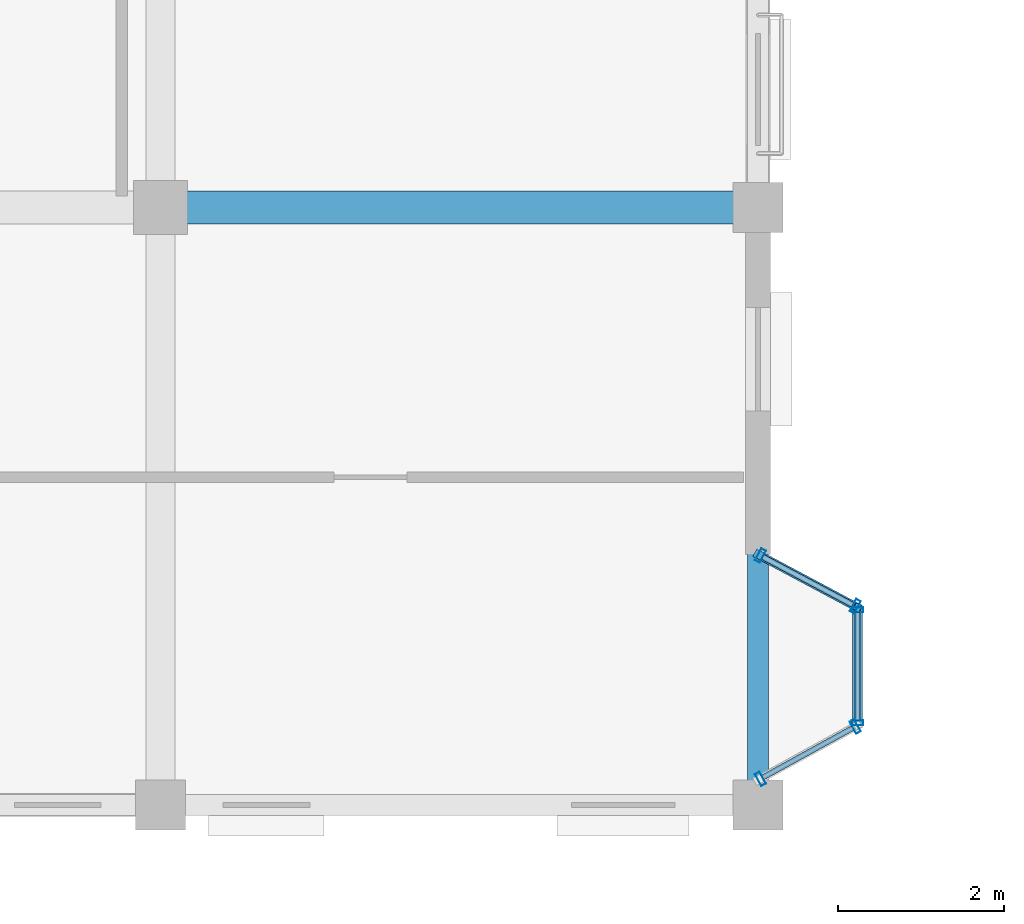
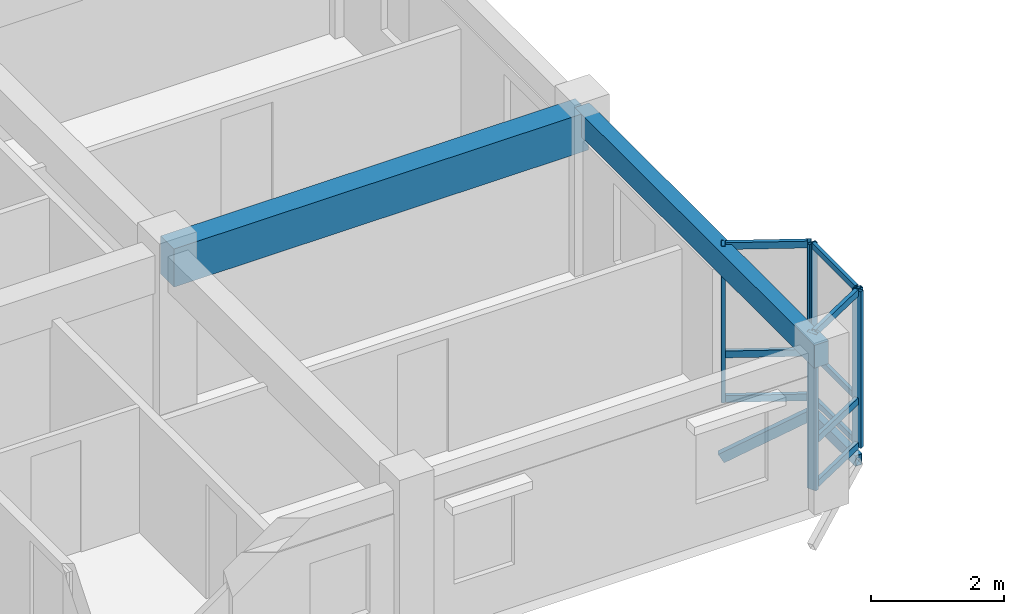
# One storey, part 6 of 124: 17 members, 2 beams, 3 elements without a shape of their own.
"""IFC4 building model written with IfcOpenShell, lengths in metres."""

from ifc_helpers import new_model, si_unit, direction, frame, origin, origin_2d, place, context, subcontext, project, spatial, rectangle, hollow_rectangle, extrude, material, layer, layer_set, material_profile, profile_set, type_object, element, aggregate, save


model = new_model("IFC4")

# Units and contexts
model_context = context("Model", 3, precision=1e-05, world=origin(), true_north=direction((0.0, 1.0)))
body_context = subcontext(model_context, "Body", "Model", "MODEL_VIEW")
ifc_project = project(units=[si_unit("LENGTHUNIT", "METRE"), si_unit("AREAUNIT", "SQUARE_METRE"), si_unit("VOLUMEUNIT", "CUBIC_METRE"), si_unit("PLANEANGLEUNIT", "RADIAN"), si_unit("MASSUNIT", "GRAM", prefix="KILO"), si_unit("THERMODYNAMICTEMPERATUREUNIT", "KELVIN"), si_unit("POWERUNIT", "WATT")], contexts=[model_context])

# Site, building, storey
site_placement = place(None, origin())
site = spatial("IfcSite", under=ifc_project, at=site_placement, CompositionType="ELEMENT")
building_placement = place(site_placement, origin())
building = spatial("IfcBuilding", under=site, at=building_placement, Name="Tavuni Mirador Residences", CompositionType="ELEMENT")
storey_placement = place(building_placement, frame((0.0, 0.0, 7.64990234375)))
storey = spatial("IfcBuildingStorey", under=building, at=storey_placement, Name="L02", CompositionType="ELEMENT", Elevation=7.64990234375)

# Beams
ifc_material_1 = material(Name="Precast concrete C40/50", Category="concrete")
ifc_material_profile_1 = material_profile(ifc_material_1, rectangle(XDim=0.39990234375, YDim=0.699951171875, at=origin_2d()), Name="PC 400x700", Category="concrete")
ifc_profile_set_1 = profile_set([ifc_material_profile_1], Name="Precast concrete C40/50")
beam_type_1 = type_object("IfcBeamType", Name="BT-B700", PredefinedType="BEAM", material=ifc_profile_set_1)
beam_1_placement = place(storey_placement, frame((25.199951171875, 14.39990234375, 2.52001953125), z_axis=(1.0, 0.0, 0.0), x_axis=(0.0, 1.0, 0.0)))
element("IfcBeam", 1, at=beam_1_placement, inside=storey, type_object=beam_type_1, Name="BMX-BLK-A-L02-03-01", PredefinedType="BEAM", context=body_context, shape_type="SweptSolid", body=[
    extrude(rectangle(XDim=0.39990234375, YDim=0.699951171875, at=origin_2d()), origin(), (0.0, 0.0, 1.0), 7.199951171875),
])
ifc_material_profile_2 = material_profile(ifc_material_1, rectangle(XDim=0.25, YDim=0.419921875, at=origin_2d()), Name="PC 250x420", Category="concrete")
ifc_profile_set_2 = profile_set([ifc_material_profile_2], Name="Precast concrete C40/50")
beam_type_2 = type_object("IfcBeamType", Name="BT-SP420", PredefinedType="SPANDREL", material=ifc_profile_set_2)
beam_2_placement = place(storey_placement, frame((32.39990234375, 7.199951171875, 2.66015625), z_axis=(0.0, 1.0, 0.0), x_axis=(-1.0, 0.0, 0.0)))
element("IfcBeam", 2, at=beam_2_placement, inside=storey, type_object=beam_type_2, Name="BMY-BLK-A-L02-04-00", PredefinedType="SPANDREL", context=body_context, shape_type="SweptSolid", body=[
    extrude(rectangle(XDim=0.25, YDim=0.419921875, at=origin_2d()), origin(), (0.0, 0.0, 1.0), 7.199951171875),
])

# Curtain wall, members
ifc_material_2 = material(Name="Anodised aluminium", Category="aluminium")
ifc_layer_1 = layer(ifc_material_2, 0.175048828125, Name="Anodised aluminium", Category="aluminium")
ifc_layer_set_1 = layer_set([ifc_layer_1], Name="Anodised aluminium")
curtain_wall_type_1 = type_object("IfcCurtainWallType", Name="CWT-MIR-C", PredefinedType="NOTDEFINED", material=ifc_layer_set_1)
curtain_wall_1_placement = place(storey_placement, origin())
curtain_wall_1 = element("IfcCurtainWall", 3, at=curtain_wall_1_placement, inside=storey, type_object=curtain_wall_type_1, Name="CW-MIR-A-E1-L02-MF", PredefinedType="NOTDEFINED")
ifc_material_profile_3 = material_profile(ifc_material_2, hollow_rectangle(XDim=0.06005859375, YDim=0.139892578125, WallThickness=0.00390625, at=origin_2d()), Name="ALU 60x140x4.0", Category="aluminium")
ifc_profile_set_3 = profile_set([ifc_material_profile_3], Name="Anodised aluminium")
member_type_1 = type_object("IfcMemberType", Name="CWM-140", PredefinedType="MULLION", material=ifc_profile_set_3)
member_1_placement = place(storey_placement, frame((33.60009765625, 8.18994140625, 0.0), z_axis=(0.0, 0.0, 1.0), x_axis=(0.0, 1.0, 0.0)))
member_1 = element("IfcMember", 4, at=member_1_placement, type_object=member_type_1, Name="CW-03 mullion 1", PredefinedType="MULLION", context=body_context, shape_type="SweptSolid", body=[
    extrude(hollow_rectangle(XDim=0.06005859375, YDim=0.139892578125, WallThickness=0.00390625, at=origin_2d()), origin(), (0.0, 0.0, 1.0), 2.8701171875),
])
member_2_placement = place(storey_placement, frame((33.60009765625, 9.550048828125, 0.0), z_axis=(0.0, 0.0, 1.0), x_axis=(0.0, 1.0, 0.0)))
member_2 = element("IfcMember", 5, at=member_2_placement, type_object=member_type_1, Name="CW-03 mullion 2", PredefinedType="MULLION", context=body_context, shape_type="SweptSolid", body=[
    extrude(hollow_rectangle(XDim=0.06005859375, YDim=0.139892578125, WallThickness=0.00390625, at=origin_2d()), origin(), (0.0, 0.0, 1.0), 2.8701171875),
])

ifc_layer_2 = layer(ifc_material_2, 0.14990234375, Name="Anodised aluminium", Category="aluminium")
ifc_layer_set_2 = layer_set([ifc_layer_2], Name="Anodised aluminium")
curtain_wall_type_2 = type_object("IfcCurtainWallType", Name="CWT-MIR-B", PredefinedType="NOTDEFINED", material=ifc_layer_set_2)
curtain_wall_2_placement = place(storey_placement, origin())
curtain_wall_2 = element("IfcCurtainWall", 6, at=curtain_wall_2_placement, inside=storey, type_object=curtain_wall_type_2, Name="CW-MIR-A-E1-L02-M1", PredefinedType="NOTDEFINED")
ifc_material_profile_4 = material_profile(ifc_material_2, hollow_rectangle(XDim=0.06494140625, YDim=0.1650390625, WallThickness=0.00439453125, at=origin_2d()), Name="ALU 65x165x4.5", Category="aluminium")
ifc_profile_set_4 = profile_set([ifc_material_profile_4], Name="Anodised aluminium")
member_type_2 = type_object("IfcMemberType", Name="CWM-165", PredefinedType="MULLION", material=ifc_profile_set_4)
member_3_placement = place(storey_placement, frame((32.428466796875, 7.515625, 0.0), z_axis=(0.0, 0.0, 1.0), x_axis=(0.876215908676, 0.481918749773, 0.0)))
member_3 = element("IfcMember", 7, at=member_3_placement, type_object=member_type_2, Name="CW-02 mullion 1", PredefinedType="MULLION", context=body_context, shape_type="SweptSolid", body=[
    extrude(hollow_rectangle(XDim=0.06494140625, YDim=0.1650390625, WallThickness=0.00439453125, at=origin_2d()), origin(), (0.0, 0.0, 1.0), 2.8701171875),
])
member_4_placement = place(storey_placement, frame((33.571533203125, 8.144287109375, 0.0), z_axis=(0.0, 0.0, 1.0), x_axis=(0.876215908676, 0.481918749773, 0.0)))
member_4 = element("IfcMember", 8, at=member_4_placement, type_object=member_type_2, Name="CW-02 mullion 2", PredefinedType="MULLION", context=body_context, shape_type="SweptSolid", body=[
    extrude(hollow_rectangle(XDim=0.06494140625, YDim=0.1650390625, WallThickness=0.00439453125, at=origin_2d()), origin(), (0.0, 0.0, 1.0), 2.8701171875),
])

ifc_layer_3 = layer(ifc_material_2, 0.159912109375, Name="Anodised aluminium", Category="aluminium")
ifc_layer_set_3 = layer_set([ifc_layer_3], Name="Anodised aluminium")
curtain_wall_type_3 = type_object("IfcCurtainWallType", Name="CWT-MIR-D", PredefinedType="NOTDEFINED", material=ifc_layer_set_3)
curtain_wall_3_placement = place(storey_placement, origin())
curtain_wall_3 = element("IfcCurtainWall", 9, at=curtain_wall_3_placement, inside=storey, type_object=curtain_wall_type_3, Name="CW-MIR-A-E1-L02-M2", PredefinedType="NOTDEFINED")
member_5_placement = place(storey_placement, frame((33.5712890625, 9.59521484375, 0.0), z_axis=(0.0, 0.0, 1.0), x_axis=(-0.882352941175, 0.470588235296, 0.0)))
member_5 = element("IfcMember", 10, at=member_5_placement, type_object=member_type_2, Name="CW-04 mullion 1", PredefinedType="MULLION", context=body_context, shape_type="SweptSolid", body=[
    extrude(hollow_rectangle(XDim=0.06494140625, YDim=0.1650390625, WallThickness=0.00439453125, at=origin_2d()), origin(), (0.0, 0.0, 1.0), 2.8701171875),
])
member_6_placement = place(storey_placement, frame((32.4287109375, 10.20458984375, 0.0), z_axis=(0.0, 0.0, 1.0), x_axis=(-0.882352941175, 0.470588235296, 0.0)))
member_6 = element("IfcMember", 11, at=member_6_placement, type_object=member_type_2, Name="CW-04 mullion 2", PredefinedType="MULLION", context=body_context, shape_type="SweptSolid", body=[
    extrude(hollow_rectangle(XDim=0.06494140625, YDim=0.1650390625, WallThickness=0.00439453125, at=origin_2d()), origin(), (0.0, 0.0, 1.0), 2.8701171875),
])

# Member
ifc_material_profile_5 = material_profile(ifc_material_2, hollow_rectangle(XDim=0.06005859375, YDim=0.110107421875, WallThickness=0.00390625, at=origin_2d()), Name="ALU 60x110x4.0", Category="aluminium")
ifc_profile_set_5 = profile_set([ifc_material_profile_5], Name="Anodised aluminium")
member_type_3 = type_object("IfcMemberType", Name="CWT-110", PredefinedType="USERDEFINED", material=ifc_profile_set_5)
member_7_placement = place(storey_placement, frame((33.60009765625, 8.219970703125, 0.030029296875), z_axis=(0.0, 1.0, 0.0), x_axis=(-1.0, 0.0, 0.0)))
member_7 = element("IfcMember", 12, at=member_7_placement, type_object=member_type_3, Name="CW-03 transom 1.1", ObjectType="TRANSOM", PredefinedType="USERDEFINED", context=body_context, shape_type="SweptSolid", body=[
    extrude(hollow_rectangle(XDim=0.06005859375, YDim=0.110107421875, WallThickness=0.00390625, at=origin_2d()), origin(), (0.0, 0.0, 1.0), 1.300048828125),
])

member_8_placement = place(storey_placement, frame((33.60009765625, 8.219970703125, 0.85009765625), z_axis=(0.0, 1.0, 0.0), x_axis=(-1.0, 0.0, 0.0)))
member_8 = element("IfcMember", 13, at=member_8_placement, type_object=member_type_3, Name="CW-03 transom 1.2", ObjectType="TRANSOM", PredefinedType="USERDEFINED", context=body_context, shape_type="SweptSolid", body=[
    extrude(hollow_rectangle(XDim=0.06005859375, YDim=0.110107421875, WallThickness=0.00390625, at=origin_2d()), origin(), (0.0, 0.0, 1.0), 1.300048828125),
])

member_9_placement = place(storey_placement, frame((33.60009765625, 8.219970703125, 2.840087890625), z_axis=(0.0, 1.0, 0.0), x_axis=(-1.0, 0.0, 0.0)))
member_9 = element("IfcMember", 14, at=member_9_placement, type_object=member_type_3, Name="CW-03 transom 1.3", ObjectType="TRANSOM", PredefinedType="USERDEFINED", context=body_context, shape_type="SweptSolid", body=[
    extrude(hollow_rectangle(XDim=0.06005859375, YDim=0.110107421875, WallThickness=0.00390625, at=origin_2d()), origin(), (0.0, 0.0, 1.0), 1.300048828125),
])

aggregate(curtain_wall_1, [member_1, member_2, member_7, member_8, member_9])

ifc_material_profile_6 = material_profile(ifc_material_2, hollow_rectangle(XDim=0.06494140625, YDim=0.125, WallThickness=0.00439453125, at=origin_2d()), Name="ALU 65x125x4.5", Category="aluminium")
ifc_profile_set_6 = profile_set([ifc_material_profile_6], Name="Anodised aluminium")
member_type_4 = type_object("IfcMemberType", Name="CWT-125", PredefinedType="USERDEFINED", material=ifc_profile_set_6)
member_10_placement = place(storey_placement, frame((32.45703125, 7.53125, 0.03271484375), z_axis=(0.876165997397, 0.482009486427, 0.0), x_axis=(-0.482009486427, 0.876165997397, 0.0)))
member_10 = element("IfcMember", 15, at=member_10_placement, type_object=member_type_4, Name="CW-02 transom 1.1", ObjectType="TRANSOM", PredefinedType="USERDEFINED", context=body_context, shape_type="SweptSolid", body=[
    extrude(hollow_rectangle(XDim=0.06494140625, YDim=0.125, WallThickness=0.00439453125, at=origin_2d()), origin(), (0.0, 0.0, 1.0), 1.239501953125),
])

member_11_placement = place(storey_placement, frame((32.45703125, 7.53125, 0.85009765625), z_axis=(0.876165997397, 0.482009486427, 0.0), x_axis=(-0.482009486427, 0.876165997397, 0.0)))
member_11 = element("IfcMember", 16, at=member_11_placement, type_object=member_type_4, Name="CW-02 transom 1.2", ObjectType="TRANSOM", PredefinedType="USERDEFINED", context=body_context, shape_type="SweptSolid", body=[
    extrude(hollow_rectangle(XDim=0.06494140625, YDim=0.125, WallThickness=0.00439453125, at=origin_2d()), origin(), (0.0, 0.0, 1.0), 1.239501953125),
])

member_12_placement = place(storey_placement, frame((32.45703125, 7.53125, 2.837646484375), z_axis=(0.876165997397, 0.482009486427, 0.0), x_axis=(-0.482009486427, 0.876165997397, 0.0)))
member_12 = element("IfcMember", 17, at=member_12_placement, type_object=member_type_4, Name="CW-02 transom 1.3", ObjectType="TRANSOM", PredefinedType="USERDEFINED", context=body_context, shape_type="SweptSolid", body=[
    extrude(hollow_rectangle(XDim=0.06494140625, YDim=0.125, WallThickness=0.00439453125, at=origin_2d()), origin(), (0.0, 0.0, 1.0), 1.239501953125),
])

aggregate(curtain_wall_2, [member_3, member_4, member_10, member_11, member_12])

member_13_placement = place(storey_placement, frame((33.542724609375, 9.610595703125, 0.03271484375), z_axis=(-0.882369422046, 0.47055733236, 0.0), x_axis=(-0.47055733236, -0.882369422046, 0.0)))
member_13 = element("IfcMember", 18, at=member_13_placement, type_object=member_type_4, Name="CW-04 transom 1.1", ObjectType="TRANSOM", PredefinedType="USERDEFINED", context=body_context, shape_type="SweptSolid", body=[
    extrude(hollow_rectangle(XDim=0.06494140625, YDim=0.125, WallThickness=0.00439453125, at=origin_2d()), origin(), (0.0, 0.0, 1.0), 1.230224609375),
])

member_14_placement = place(storey_placement, frame((33.542724609375, 9.610595703125, 0.85009765625), z_axis=(-0.882369422046, 0.47055733236, 0.0), x_axis=(-0.47055733236, -0.882369422046, 0.0)))
member_14 = element("IfcMember", 19, at=member_14_placement, type_object=member_type_4, Name="CW-04 transom 1.2", ObjectType="TRANSOM", PredefinedType="USERDEFINED", context=body_context, shape_type="SweptSolid", body=[
    extrude(hollow_rectangle(XDim=0.06494140625, YDim=0.125, WallThickness=0.00439453125, at=origin_2d()), origin(), (0.0, 0.0, 1.0), 1.230224609375),
])

member_15_placement = place(storey_placement, frame((33.542724609375, 9.610595703125, 2.837646484375), z_axis=(-0.882369422046, 0.47055733236, 0.0), x_axis=(-0.47055733236, -0.882369422046, 0.0)))
member_15 = element("IfcMember", 20, at=member_15_placement, type_object=member_type_4, Name="CW-04 transom 1.3", ObjectType="TRANSOM", PredefinedType="USERDEFINED", context=body_context, shape_type="SweptSolid", body=[
    extrude(hollow_rectangle(XDim=0.06494140625, YDim=0.125, WallThickness=0.00439453125, at=origin_2d()), origin(), (0.0, 0.0, 1.0), 1.230224609375),
])

aggregate(curtain_wall_3, [member_5, member_6, member_13, member_14, member_15])

# Members
ifc_material_3 = material(Name="Structural steel S355", Category="steel")
ifc_material_profile_7 = material_profile(ifc_material_3, hollow_rectangle(XDim=0.10009765625, YDim=0.179931640625, WallThickness=0.008056640625, at=origin_2d()), Name="RHS 180x100x8.0", Category="steel")
ifc_profile_set_7 = profile_set([ifc_material_profile_7], Name="Structural steel S355")
member_type_5 = type_object("IfcMemberType", Name="MT-BR-RHS180", PredefinedType="BRACE", material=ifc_profile_set_7)
member_16_placement = place(storey_placement, frame((32.39990234375, 10.219970703125, -1.0498046875), z_axis=(0.767896193149, -0.409409260017, 0.492665702439), x_axis=(0.470467115558, 0.882417527692, 0.0)))
element("IfcMember", 21, at=member_16_placement, inside=storey, type_object=member_type_5, Name="MBRK-MIR-A-E1-L02-2", PredefinedType="BRACE", context=body_context, shape_type="SweptSolid", body=[
    extrude(hollow_rectangle(XDim=0.10009765625, YDim=0.179931640625, WallThickness=0.008056640625, at=origin_2d()), origin(), (0.0, 0.0, 1.0), 1.56298828125),
])
ifc_material_profile_8 = material_profile(ifc_material_3, hollow_rectangle(XDim=0.1201171875, YDim=0.199951171875, WallThickness=0.010009765625, at=origin_2d()), Name="RHS 200x120x10.0", Category="steel")
ifc_profile_set_8 = profile_set([ifc_material_profile_8], Name="Structural steel S355")
member_type_6 = type_object("IfcMemberType", Name="MT-ST-RHS200", PredefinedType="STRUT", material=ifc_profile_set_8)
member_17_placement = place(storey_placement, frame((33.60009765625, 8.159912109375, -0.27978515625), z_axis=(0.0, 1.0, 0.0), x_axis=(-1.0, 0.0, 0.0)))
element("IfcMember", 22, at=member_17_placement, inside=storey, type_object=member_type_6, Name="MRIM-MIR-A-E1-L02", PredefinedType="STRUT", context=body_context, shape_type="SweptSolid", body=[
    extrude(hollow_rectangle(XDim=0.1201171875, YDim=0.199951171875, WallThickness=0.010009765625, at=origin_2d()), origin(), (0.0, 0.0, 1.0), 1.420166015625),
])

save(model, "model.ifc")
